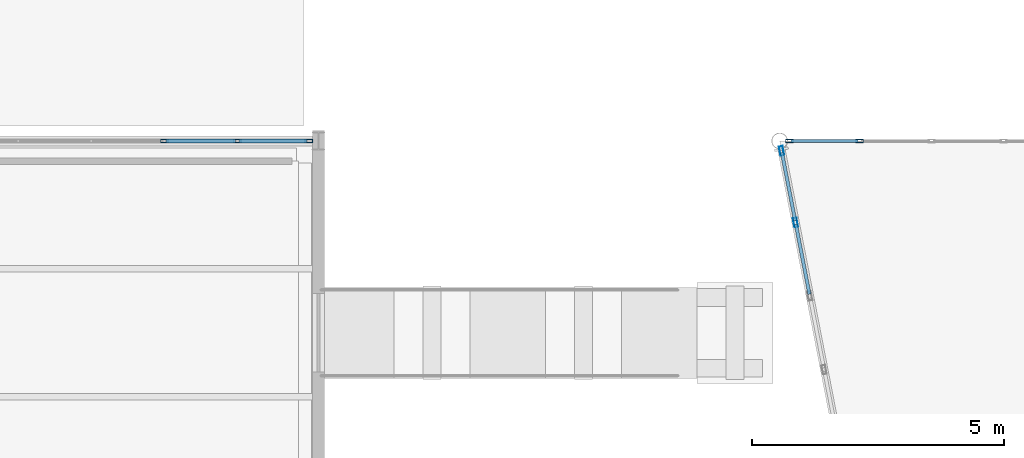
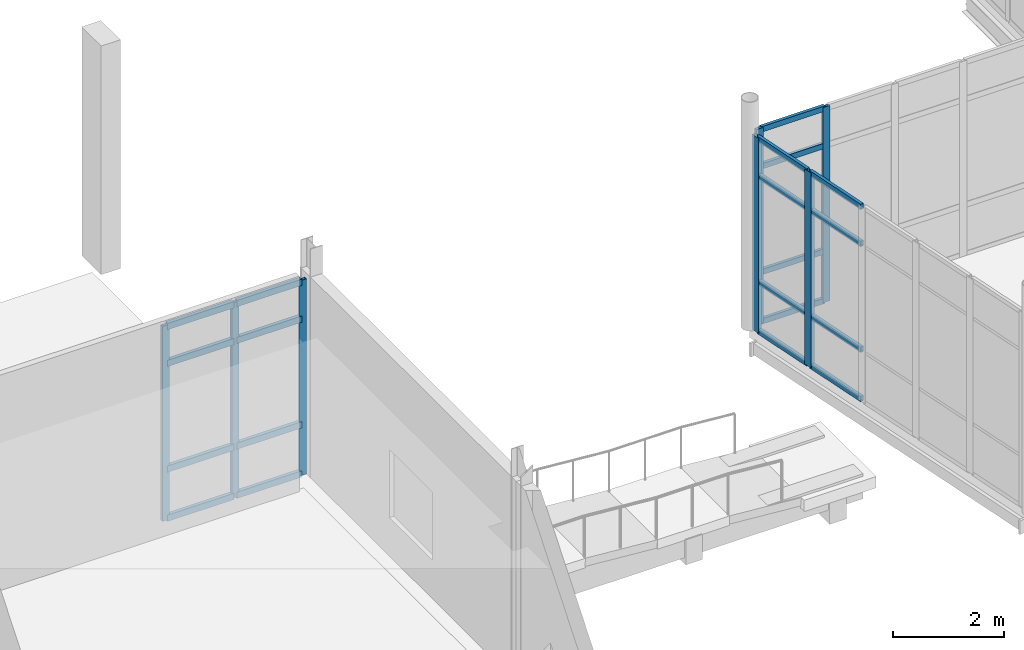
# One storey, part 96 of 161: 27 members, 3 elements without a shape of their own.
"""IFC4 building model written with IfcOpenShell, lengths in metres."""

from ifc_helpers import new_model, si_unit, direction, frame, origin, origin_2d, place, context, subcontext, project, spatial, hollow_rectangle, extrude, material, material_profile, profile_set, type_object, element, aggregate, save


model = new_model("IFC4")

# Units and contexts
model_context = context("Model", 3, precision=1e-05, world=origin(), true_north=direction((0.0, 1.0)))
body_context = subcontext(model_context, "Body", "Model", "MODEL_VIEW")
ifc_project = project(units=[si_unit("LENGTHUNIT", "METRE"), si_unit("AREAUNIT", "SQUARE_METRE"), si_unit("VOLUMEUNIT", "CUBIC_METRE"), si_unit("PLANEANGLEUNIT", "RADIAN"), si_unit("MASSUNIT", "GRAM", prefix="KILO")], contexts=[model_context])

# Site, building, storey
site_placement = place(None, origin())
site = spatial("IfcSite", under=ifc_project, at=site_placement, CompositionType="ELEMENT")
building_placement = place(site_placement, origin())
building = spatial("IfcBuilding", under=site, at=building_placement, Name="Caisbarro Railhouse Central Library", CompositionType="ELEMENT")
storey_placement = place(building_placement, origin())
storey = spatial("IfcBuildingStorey", under=building, at=storey_placement, Name="L00", CompositionType="ELEMENT", Elevation=0.0)

# Curtain wall, members
ifc_material = material(Name="Anodised architectural aluminium", Category="aluminium")
curtain_wall_type_1 = type_object("IfcCurtainWallType", Name="CW-CW01", PredefinedType="NOTDEFINED", material=ifc_material)
curtain_wall_1_placement = place(storey_placement, origin())
curtain_wall_1 = element("IfcCurtainWall", 1, at=curtain_wall_1_placement, inside=storey, type_object=curtain_wall_type_1, Name="CW01 curtain wall L00 #100", PredefinedType="NOTDEFINED")
ifc_material_profile_1 = material_profile(ifc_material, hollow_rectangle(XDim=0.074951171875, YDim=0.179931640625, WallThickness=0.00439453125, at=origin_2d()), Name="ALU-MUL-75X180")
ifc_profile_set_1 = profile_set([ifc_material_profile_1], Name="Anodised architectural aluminium")
member_type_1 = type_object("IfcMemberType", Name="CWM-M01", PredefinedType="MULLION", material=ifc_profile_set_1)
member_1_placement = place(storey_placement, frame((108.449951171875, 104.78564453125, 0.0), z_axis=(0.0, 0.0, 1.0), x_axis=(-0.98160739523, -0.190910768765, 0.0)))
member_1 = element("IfcMember", 2, at=member_1_placement, type_object=member_type_1, Name="CW01 mullion 5", PredefinedType="MULLION", context=body_context, shape_type="SweptSolid", body=[
    extrude(hollow_rectangle(XDim=0.074951171875, YDim=0.179931640625, WallThickness=0.00439453125, at=origin_2d()), origin(), (0.0, 0.0, 1.0), 4.300048828125),
])
member_2_placement = place(storey_placement, frame((108.173583984375, 106.2060546875, 0.0), z_axis=(0.0, 0.0, 1.0), x_axis=(-0.98160739523, -0.190910768765, 0.0)))
member_2 = element("IfcMember", 3, at=member_2_placement, type_object=member_type_1, Name="CW01 mullion 6", PredefinedType="MULLION", context=body_context, shape_type="SweptSolid", body=[
    extrude(hollow_rectangle(XDim=0.074951171875, YDim=0.179931640625, WallThickness=0.00439453125, at=origin_2d()), origin(), (0.0, 0.0, 1.0), 4.300048828125),
])

curtain_wall_type_2 = type_object("IfcCurtainWallType", Name="CW-CW03", PredefinedType="NOTDEFINED", material=ifc_material)
curtain_wall_2_placement = place(storey_placement, origin())
curtain_wall_2 = element("IfcCurtainWall", 4, at=curtain_wall_2_placement, inside=storey, type_object=curtain_wall_type_2, Name="CW03 curtain wall L00 #101", PredefinedType="NOTDEFINED")
ifc_material_profile_2 = material_profile(ifc_material, hollow_rectangle(XDim=0.06494140625, YDim=0.14990234375, WallThickness=0.00390625, at=origin_2d()), Name="ALU-MUL-65X150")
ifc_profile_set_2 = profile_set([ifc_material_profile_2], Name="Anodised architectural aluminium")
member_type_2 = type_object("IfcMemberType", Name="CWM-M02", PredefinedType="MULLION", material=ifc_profile_set_2)
member_3_placement = place(storey_placement, frame((108.32861328125, 106.39990234375, 0.0), z_axis=(0.0, 0.0, 1.0), x_axis=(0.0, 1.0, 0.0)))
member_3 = element("IfcMember", 5, at=member_3_placement, type_object=member_type_2, Name="CW03 mullion 1", PredefinedType="MULLION", context=body_context, shape_type="SweptSolid", body=[
    extrude(hollow_rectangle(XDim=0.06494140625, YDim=0.14990234375, WallThickness=0.00390625, at=origin_2d()), origin(), (0.0, 0.0, 1.0), 4.300048828125),
])
member_4_placement = place(storey_placement, frame((109.719970703125, 106.39990234375, 0.0), z_axis=(0.0, 0.0, 1.0), x_axis=(0.0, 1.0, 0.0)))
member_4 = element("IfcMember", 6, at=member_4_placement, type_object=member_type_2, Name="CW03 mullion 2", PredefinedType="MULLION", context=body_context, shape_type="SweptSolid", body=[
    extrude(hollow_rectangle(XDim=0.06494140625, YDim=0.14990234375, WallThickness=0.00390625, at=origin_2d()), origin(), (0.0, 0.0, 1.0), 4.300048828125),
])

curtain_wall_3_placement = place(storey_placement, origin())
curtain_wall_3 = element("IfcCurtainWall", 7, at=curtain_wall_3_placement, inside=storey, type_object=curtain_wall_type_2, Name="CW03 curtain wall L00 #171", PredefinedType="NOTDEFINED")
member_5_placement = place(storey_placement, frame((95.94677734375, 106.39990234375, 0.0), z_axis=(0.0, 0.0, 1.0), x_axis=(0.0, 1.0, 0.0)))
member_5 = element("IfcMember", 8, at=member_5_placement, type_object=member_type_2, Name="CW03 mullion 5", PredefinedType="MULLION", context=body_context, shape_type="SweptSolid", body=[
    extrude(hollow_rectangle(XDim=0.06494140625, YDim=0.14990234375, WallThickness=0.00390625, at=origin_2d()), origin(), (0.0, 0.0, 1.0), 4.300048828125),
])
member_6_placement = place(storey_placement, frame((97.393310546875, 106.39990234375, 0.0), z_axis=(0.0, 0.0, 1.0), x_axis=(0.0, 1.0, 0.0)))
member_6 = element("IfcMember", 9, at=member_6_placement, type_object=member_type_2, Name="CW03 mullion 6", PredefinedType="MULLION", context=body_context, shape_type="SweptSolid", body=[
    extrude(hollow_rectangle(XDim=0.06494140625, YDim=0.14990234375, WallThickness=0.00390625, at=origin_2d()), origin(), (0.0, 0.0, 1.0), 4.300048828125),
])
member_7_placement = place(storey_placement, frame((98.8076171875, 106.39990234375, 0.0), z_axis=(0.0, 0.0, 1.0), x_axis=(0.0, 1.0, 0.0)))
member_7 = element("IfcMember", 10, at=member_7_placement, type_object=member_type_2, Name="CW03 mullion 7", PredefinedType="MULLION", context=body_context, shape_type="SweptSolid", body=[
    extrude(hollow_rectangle(XDim=0.06494140625, YDim=0.14990234375, WallThickness=0.00390625, at=origin_2d()), origin(), (0.0, 0.0, 1.0), 4.300048828125),
])
ifc_material_profile_3 = material_profile(ifc_material, hollow_rectangle(XDim=0.074951171875, YDim=0.139892578125, WallThickness=0.00390625, at=origin_2d()), Name="ALU-TRN-75X140")
ifc_profile_set_3 = profile_set([ifc_material_profile_3], Name="Anodised architectural aluminium")
member_type_3 = type_object("IfcMemberType", Name="CWT-T01", PredefinedType="USERDEFINED", material=ifc_profile_set_3)
member_8_placement = place(storey_placement, frame((95.979248046875, 106.39990234375, 0.03759765625), z_axis=(1.0, 0.0, 0.0), x_axis=(0.0, 1.0, 0.0)))
member_8 = element("IfcMember", 11, at=member_8_placement, type_object=member_type_3, Name="CW03 transom 5.1", ObjectType="TRANSOM", PredefinedType="USERDEFINED", context=body_context, shape_type="SweptSolid", body=[
    extrude(hollow_rectangle(XDim=0.074951171875, YDim=0.139892578125, WallThickness=0.00390625, at=origin_2d()), origin(), (0.0, 0.0, 1.0), 1.381591796875),
])
member_9_placement = place(storey_placement, frame((95.979248046875, 106.39990234375, 1.1201171875), z_axis=(1.0, 0.0, 0.0), x_axis=(0.0, 1.0, 0.0)))
member_9 = element("IfcMember", 12, at=member_9_placement, type_object=member_type_3, Name="CW03 transom 5.2", ObjectType="TRANSOM", PredefinedType="USERDEFINED", context=body_context, shape_type="SweptSolid", body=[
    extrude(hollow_rectangle(XDim=0.074951171875, YDim=0.139892578125, WallThickness=0.00390625, at=origin_2d()), origin(), (0.0, 0.0, 1.0), 1.381591796875),
])
member_10_placement = place(storey_placement, frame((95.979248046875, 106.39990234375, 3.449951171875), z_axis=(1.0, 0.0, 0.0), x_axis=(0.0, 1.0, 0.0)))
member_10 = element("IfcMember", 13, at=member_10_placement, type_object=member_type_3, Name="CW03 transom 5.3", ObjectType="TRANSOM", PredefinedType="USERDEFINED", context=body_context, shape_type="SweptSolid", body=[
    extrude(hollow_rectangle(XDim=0.074951171875, YDim=0.139892578125, WallThickness=0.00390625, at=origin_2d()), origin(), (0.0, 0.0, 1.0), 1.381591796875),
])
member_11_placement = place(storey_placement, frame((95.979248046875, 106.39990234375, 4.262451171875), z_axis=(1.0, 0.0, 0.0), x_axis=(0.0, 1.0, 0.0)))
member_11 = element("IfcMember", 14, at=member_11_placement, type_object=member_type_3, Name="CW03 transom 5.4", ObjectType="TRANSOM", PredefinedType="USERDEFINED", context=body_context, shape_type="SweptSolid", body=[
    extrude(hollow_rectangle(XDim=0.074951171875, YDim=0.139892578125, WallThickness=0.00390625, at=origin_2d()), origin(), (0.0, 0.0, 1.0), 1.381591796875),
])
member_12_placement = place(storey_placement, frame((97.42578125, 106.39990234375, 0.03759765625), z_axis=(1.0, 0.0, 0.0), x_axis=(0.0, 1.0, 0.0)))
member_12 = element("IfcMember", 15, at=member_12_placement, type_object=member_type_3, Name="CW03 transom 6.1", ObjectType="TRANSOM", PredefinedType="USERDEFINED", context=body_context, shape_type="SweptSolid", body=[
    extrude(hollow_rectangle(XDim=0.074951171875, YDim=0.139892578125, WallThickness=0.00390625, at=origin_2d()), origin(), (0.0, 0.0, 1.0), 1.34912109375),
])
member_13_placement = place(storey_placement, frame((97.42578125, 106.39990234375, 1.1201171875), z_axis=(1.0, 0.0, 0.0), x_axis=(0.0, 1.0, 0.0)))
member_13 = element("IfcMember", 16, at=member_13_placement, type_object=member_type_3, Name="CW03 transom 6.2", ObjectType="TRANSOM", PredefinedType="USERDEFINED", context=body_context, shape_type="SweptSolid", body=[
    extrude(hollow_rectangle(XDim=0.074951171875, YDim=0.139892578125, WallThickness=0.00390625, at=origin_2d()), origin(), (0.0, 0.0, 1.0), 1.34912109375),
])
member_14_placement = place(storey_placement, frame((97.42578125, 106.39990234375, 3.449951171875), z_axis=(1.0, 0.0, 0.0), x_axis=(0.0, 1.0, 0.0)))
member_14 = element("IfcMember", 17, at=member_14_placement, type_object=member_type_3, Name="CW03 transom 6.3", ObjectType="TRANSOM", PredefinedType="USERDEFINED", context=body_context, shape_type="SweptSolid", body=[
    extrude(hollow_rectangle(XDim=0.074951171875, YDim=0.139892578125, WallThickness=0.00390625, at=origin_2d()), origin(), (0.0, 0.0, 1.0), 1.34912109375),
])
member_15_placement = place(storey_placement, frame((97.42578125, 106.39990234375, 4.262451171875), z_axis=(1.0, 0.0, 0.0), x_axis=(0.0, 1.0, 0.0)))
member_15 = element("IfcMember", 18, at=member_15_placement, type_object=member_type_3, Name="CW03 transom 6.4", ObjectType="TRANSOM", PredefinedType="USERDEFINED", context=body_context, shape_type="SweptSolid", body=[
    extrude(hollow_rectangle(XDim=0.074951171875, YDim=0.139892578125, WallThickness=0.00390625, at=origin_2d()), origin(), (0.0, 0.0, 1.0), 1.34912109375),
])
aggregate(curtain_wall_3, [member_5, member_6, member_7, member_8, member_9, member_10, member_11, member_12, member_13, member_14, member_15])

# Member
ifc_material_profile_4 = material_profile(ifc_material, hollow_rectangle(XDim=0.06494140625, YDim=0.1201171875, WallThickness=0.00341796875, at=origin_2d()), Name="ALU-TRN-65X120")
ifc_profile_set_4 = profile_set([ifc_material_profile_4], Name="Anodised architectural aluminium")
member_type_4 = type_object("IfcMemberType", Name="CWT-T02", PredefinedType="USERDEFINED", material=ifc_profile_set_4)
member_16_placement = place(storey_placement, frame((108.72607421875, 103.365478515625, 0.032470703125), z_axis=(-0.190883567843, 0.981612685089, 0.0), x_axis=(-0.981612685089, -0.190883567843, 0.0)))
member_16 = element("IfcMember", 19, at=member_16_placement, type_object=member_type_4, Name="CW01 transom 4.1", ObjectType="TRANSOM", PredefinedType="USERDEFINED", context=body_context, shape_type="SweptSolid", body=[
    extrude(hollow_rectangle(XDim=0.06494140625, YDim=0.1201171875, WallThickness=0.00341796875, at=origin_2d()), origin(), (0.0, 0.0, 1.0), 1.409423828125),
])

member_17_placement = place(storey_placement, frame((108.72607421875, 103.365478515625, 1.1201171875), z_axis=(-0.190883567843, 0.981612685089, 0.0), x_axis=(-0.981612685089, -0.190883567843, 0.0)))
member_17 = element("IfcMember", 20, at=member_17_placement, type_object=member_type_4, Name="CW01 transom 4.2", ObjectType="TRANSOM", PredefinedType="USERDEFINED", context=body_context, shape_type="SweptSolid", body=[
    extrude(hollow_rectangle(XDim=0.06494140625, YDim=0.1201171875, WallThickness=0.00341796875, at=origin_2d()), origin(), (0.0, 0.0, 1.0), 1.409423828125),
])

member_18_placement = place(storey_placement, frame((108.72607421875, 103.365478515625, 3.449951171875), z_axis=(-0.190883567843, 0.981612685089, 0.0), x_axis=(-0.981612685089, -0.190883567843, 0.0)))
member_18 = element("IfcMember", 21, at=member_18_placement, type_object=member_type_4, Name="CW01 transom 4.3", ObjectType="TRANSOM", PredefinedType="USERDEFINED", context=body_context, shape_type="SweptSolid", body=[
    extrude(hollow_rectangle(XDim=0.06494140625, YDim=0.1201171875, WallThickness=0.00341796875, at=origin_2d()), origin(), (0.0, 0.0, 1.0), 1.409423828125),
])

member_19_placement = place(storey_placement, frame((108.72607421875, 103.365478515625, 4.267578125), z_axis=(-0.190883567843, 0.981612685089, 0.0), x_axis=(-0.981612685089, -0.190883567843, 0.0)))
member_19 = element("IfcMember", 22, at=member_19_placement, type_object=member_type_4, Name="CW01 transom 4.4", ObjectType="TRANSOM", PredefinedType="USERDEFINED", context=body_context, shape_type="SweptSolid", body=[
    extrude(hollow_rectangle(XDim=0.06494140625, YDim=0.1201171875, WallThickness=0.00341796875, at=origin_2d()), origin(), (0.0, 0.0, 1.0), 1.409423828125),
])

member_20_placement = place(storey_placement, frame((108.442626953125, 104.822509765625, 0.032470703125), z_axis=(-0.190774392735, 0.981633908887, 0.0), x_axis=(-0.981633908887, -0.190774392735, 0.0)))
member_20 = element("IfcMember", 23, at=member_20_placement, type_object=member_type_4, Name="CW01 transom 5.1", ObjectType="TRANSOM", PredefinedType="USERDEFINED", context=body_context, shape_type="SweptSolid", body=[
    extrude(hollow_rectangle(XDim=0.06494140625, YDim=0.1201171875, WallThickness=0.00341796875, at=origin_2d()), origin(), (0.0, 0.0, 1.0), 1.371826171875),
])

member_21_placement = place(storey_placement, frame((108.442626953125, 104.822509765625, 1.1201171875), z_axis=(-0.190774392735, 0.981633908887, 0.0), x_axis=(-0.981633908887, -0.190774392735, 0.0)))
member_21 = element("IfcMember", 24, at=member_21_placement, type_object=member_type_4, Name="CW01 transom 5.2", ObjectType="TRANSOM", PredefinedType="USERDEFINED", context=body_context, shape_type="SweptSolid", body=[
    extrude(hollow_rectangle(XDim=0.06494140625, YDim=0.1201171875, WallThickness=0.00341796875, at=origin_2d()), origin(), (0.0, 0.0, 1.0), 1.371826171875),
])

member_22_placement = place(storey_placement, frame((108.442626953125, 104.822509765625, 3.449951171875), z_axis=(-0.190774392735, 0.981633908887, 0.0), x_axis=(-0.981633908887, -0.190774392735, 0.0)))
member_22 = element("IfcMember", 25, at=member_22_placement, type_object=member_type_4, Name="CW01 transom 5.3", ObjectType="TRANSOM", PredefinedType="USERDEFINED", context=body_context, shape_type="SweptSolid", body=[
    extrude(hollow_rectangle(XDim=0.06494140625, YDim=0.1201171875, WallThickness=0.00341796875, at=origin_2d()), origin(), (0.0, 0.0, 1.0), 1.371826171875),
])

member_23_placement = place(storey_placement, frame((108.442626953125, 104.822509765625, 4.267578125), z_axis=(-0.190774392735, 0.981633908887, 0.0), x_axis=(-0.981633908887, -0.190774392735, 0.0)))
member_23 = element("IfcMember", 26, at=member_23_placement, type_object=member_type_4, Name="CW01 transom 5.4", ObjectType="TRANSOM", PredefinedType="USERDEFINED", context=body_context, shape_type="SweptSolid", body=[
    extrude(hollow_rectangle(XDim=0.06494140625, YDim=0.1201171875, WallThickness=0.00341796875, at=origin_2d()), origin(), (0.0, 0.0, 1.0), 1.371826171875),
])

aggregate(curtain_wall_1, [member_1, member_2, member_16, member_17, member_18, member_19, member_20, member_21, member_22, member_23])

member_24_placement = place(storey_placement, frame((108.361083984375, 106.39990234375, 0.032470703125), z_axis=(1.0, 0.0, 0.0), x_axis=(0.0, 1.0, 0.0)))
member_24 = element("IfcMember", 27, at=member_24_placement, type_object=member_type_4, Name="CW03 transom 1.1", ObjectType="TRANSOM", PredefinedType="USERDEFINED", context=body_context, shape_type="SweptSolid", body=[
    extrude(hollow_rectangle(XDim=0.06494140625, YDim=0.1201171875, WallThickness=0.00341796875, at=origin_2d()), origin(), (0.0, 0.0, 1.0), 1.326416015625),
])

member_25_placement = place(storey_placement, frame((108.361083984375, 106.39990234375, 1.1201171875), z_axis=(1.0, 0.0, 0.0), x_axis=(0.0, 1.0, 0.0)))
member_25 = element("IfcMember", 28, at=member_25_placement, type_object=member_type_4, Name="CW03 transom 1.2", ObjectType="TRANSOM", PredefinedType="USERDEFINED", context=body_context, shape_type="SweptSolid", body=[
    extrude(hollow_rectangle(XDim=0.06494140625, YDim=0.1201171875, WallThickness=0.00341796875, at=origin_2d()), origin(), (0.0, 0.0, 1.0), 1.326416015625),
])

member_26_placement = place(storey_placement, frame((108.361083984375, 106.39990234375, 3.449951171875), z_axis=(1.0, 0.0, 0.0), x_axis=(0.0, 1.0, 0.0)))
member_26 = element("IfcMember", 29, at=member_26_placement, type_object=member_type_4, Name="CW03 transom 1.3", ObjectType="TRANSOM", PredefinedType="USERDEFINED", context=body_context, shape_type="SweptSolid", body=[
    extrude(hollow_rectangle(XDim=0.06494140625, YDim=0.1201171875, WallThickness=0.00341796875, at=origin_2d()), origin(), (0.0, 0.0, 1.0), 1.326416015625),
])

member_27_placement = place(storey_placement, frame((108.361083984375, 106.39990234375, 4.267578125), z_axis=(1.0, 0.0, 0.0), x_axis=(0.0, 1.0, 0.0)))
member_27 = element("IfcMember", 30, at=member_27_placement, type_object=member_type_4, Name="CW03 transom 1.4", ObjectType="TRANSOM", PredefinedType="USERDEFINED", context=body_context, shape_type="SweptSolid", body=[
    extrude(hollow_rectangle(XDim=0.06494140625, YDim=0.1201171875, WallThickness=0.00341796875, at=origin_2d()), origin(), (0.0, 0.0, 1.0), 1.326416015625),
])

aggregate(curtain_wall_2, [member_3, member_4, member_24, member_25, member_26, member_27])

save(model, "model.ifc")
